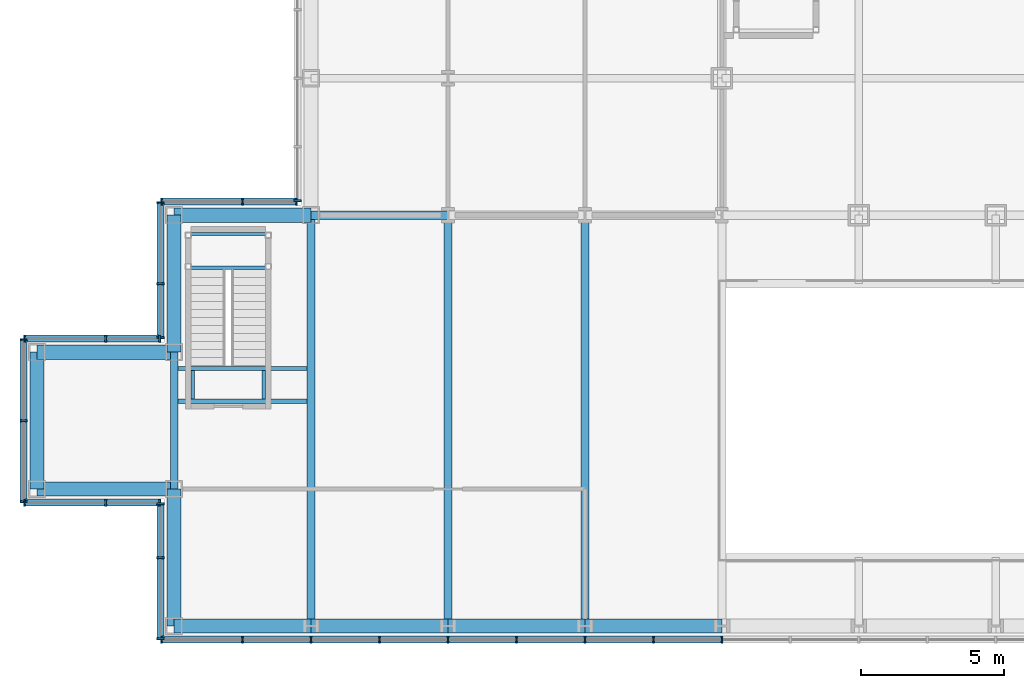
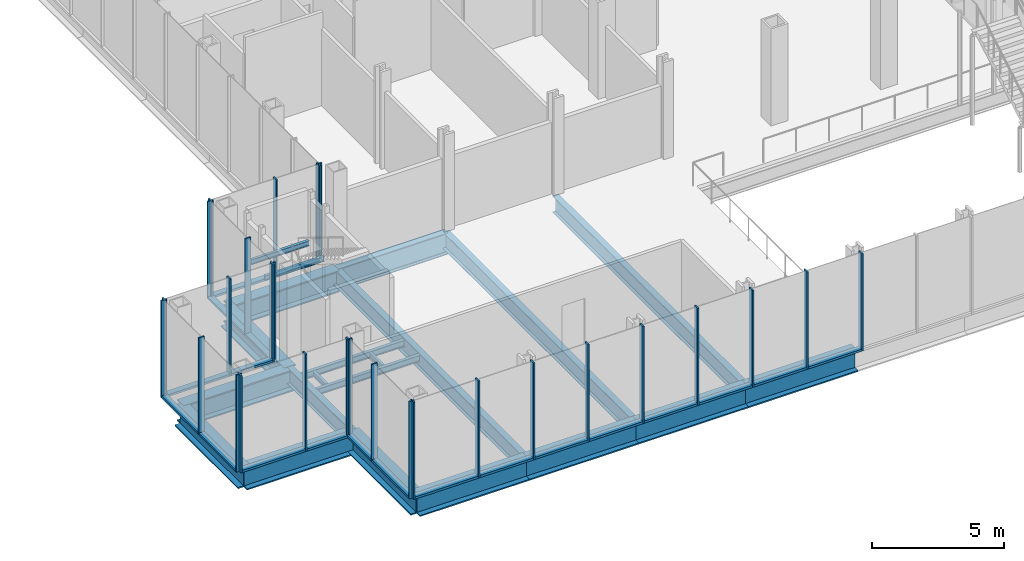
# One storey, part 11 of 28: 48 members, 21 beams, 8 elements without a shape of their own.
"""IFC4 building model written with IfcOpenShell, lengths in metres."""

from ifc_helpers import new_model, si_unit, direction, frame, origin, origin_2d, place, context, subcontext, project, spatial, rectangle, i_section, extrude, material, material_profile, profile_set, type_object, element, aggregate, save


model = new_model("IFC4")

# Units and contexts
model_context = context("Model", 3, precision=1e-05, world=origin(), true_north=direction((0.0, 1.0)))
body_context = subcontext(model_context, "Body", "Model", "MODEL_VIEW")
ifc_project = project(units=[si_unit("LENGTHUNIT", "METRE"), si_unit("AREAUNIT", "SQUARE_METRE"), si_unit("VOLUMEUNIT", "CUBIC_METRE"), si_unit("PLANEANGLEUNIT", "RADIAN"), si_unit("MASSUNIT", "GRAM", prefix="KILO")], contexts=[model_context])

# Site, building, storey
site_placement = place(None, origin())
site = spatial("IfcSite", under=ifc_project, at=site_placement, CompositionType="ELEMENT")
building_placement = place(site_placement, origin())
building = spatial("IfcBuilding", under=site, at=building_placement, Name="Kvirike Care Tower", CompositionType="ELEMENT")
storey_placement = place(building_placement, frame((0.0, 0.0, 4.5)))
storey = spatial("IfcBuildingStorey", under=building, at=storey_placement, Name="L01", CompositionType="ELEMENT", Elevation=4.5)

# Curtain wall, members
ifc_material_1 = material(Name="Anodised aluminium stick system", Category="aluminium")
curtain_wall_type = type_object("IfcCurtainWallType", Name="CW-P PODIUM STICK CURTAIN WALL", PredefinedType="NOTDEFINED", material=ifc_material_1)
curtain_wall_1_placement = place(storey_placement, origin())
curtain_wall_1 = element("IfcCurtainWall", 1, at=curtain_wall_1_placement, inside=storey, type_object=curtain_wall_type, Name="Curtain wall L01 face 1", PredefinedType="NOTDEFINED")
ifc_material_2 = material(Name="Bronze anodised aluminium mullion", Category="aluminium")
ifc_material_profile_1 = material_profile(ifc_material_2, rectangle(XDim=0.06494140625, YDim=0.25, at=origin_2d()), Name="CW-P MULLION 65x250")
ifc_profile_set_1 = profile_set([ifc_material_profile_1], Name="Bronze anodised aluminium mullion")
member_type_1 = type_object("IfcMemberType", Name="CW-P MULLION 65x250", PredefinedType="MULLION", material=ifc_profile_set_1)
member_1_placement = place(storey_placement, frame((-5.242431640625, -0.47509765625, 0.0), z_axis=(0.0, 0.0, 1.0), x_axis=(1.0, 0.0, 0.0)))
member_1 = element("IfcMember", 2, at=member_1_placement, type_object=member_type_1, Name="CW-P mullion L01 face 1.1", PredefinedType="MULLION", context=body_context, shape_type="SweptSolid", body=[
    extrude(rectangle(XDim=0.06494140625, YDim=0.25, at=origin_2d()), origin(), (0.0, 0.0, 1.0), 4.5),
])
member_2_placement = place(storey_placement, frame((-2.39990234375, -0.47509765625, 0.0), z_axis=(0.0, 0.0, 1.0), x_axis=(1.0, 0.0, 0.0)))
member_2 = element("IfcMember", 3, at=member_2_placement, type_object=member_type_1, Name="CW-P mullion L01 face 1.2", PredefinedType="MULLION", context=body_context, shape_type="SweptSolid", body=[
    extrude(rectangle(XDim=0.06494140625, YDim=0.25, at=origin_2d()), origin(), (0.0, 0.0, 1.0), 4.5),
])
member_3_placement = place(storey_placement, frame((0.0, -0.47509765625, 0.0), z_axis=(0.0, 0.0, 1.0), x_axis=(1.0, 0.0, 0.0)))
member_3 = element("IfcMember", 4, at=member_3_placement, type_object=member_type_1, Name="CW-P mullion L01 face 1.3", PredefinedType="MULLION", context=body_context, shape_type="SweptSolid", body=[
    extrude(rectangle(XDim=0.06494140625, YDim=0.25, at=origin_2d()), origin(), (0.0, 0.0, 1.0), 4.5),
])
member_4_placement = place(storey_placement, frame((2.39990234375, -0.47509765625, 0.0), z_axis=(0.0, 0.0, 1.0), x_axis=(1.0, 0.0, 0.0)))
member_4 = element("IfcMember", 5, at=member_4_placement, type_object=member_type_1, Name="CW-P mullion L01 face 1.4", PredefinedType="MULLION", context=body_context, shape_type="SweptSolid", body=[
    extrude(rectangle(XDim=0.06494140625, YDim=0.25, at=origin_2d()), origin(), (0.0, 0.0, 1.0), 4.5),
])
member_5_placement = place(storey_placement, frame((4.800048828125, -0.47509765625, 0.0), z_axis=(0.0, 0.0, 1.0), x_axis=(1.0, 0.0, 0.0)))
member_5 = element("IfcMember", 6, at=member_5_placement, type_object=member_type_1, Name="CW-P mullion L01 face 1.5", PredefinedType="MULLION", context=body_context, shape_type="SweptSolid", body=[
    extrude(rectangle(XDim=0.06494140625, YDim=0.25, at=origin_2d()), origin(), (0.0, 0.0, 1.0), 4.5),
])
member_6_placement = place(storey_placement, frame((7.199951171875, -0.47509765625, 0.0), z_axis=(0.0, 0.0, 1.0), x_axis=(1.0, 0.0, 0.0)))
member_6 = element("IfcMember", 7, at=member_6_placement, type_object=member_type_1, Name="CW-P mullion L01 face 1.6", PredefinedType="MULLION", context=body_context, shape_type="SweptSolid", body=[
    extrude(rectangle(XDim=0.06494140625, YDim=0.25, at=origin_2d()), origin(), (0.0, 0.0, 1.0), 4.5),
])
member_7_placement = place(storey_placement, frame((9.60009765625, -0.47509765625, 0.0), z_axis=(0.0, 0.0, 1.0), x_axis=(1.0, 0.0, 0.0)))
member_7 = element("IfcMember", 8, at=member_7_placement, type_object=member_type_1, Name="CW-P mullion L01 face 1.7", PredefinedType="MULLION", context=body_context, shape_type="SweptSolid", body=[
    extrude(rectangle(XDim=0.06494140625, YDim=0.25, at=origin_2d()), origin(), (0.0, 0.0, 1.0), 4.5),
])
member_8_placement = place(storey_placement, frame((12.0, -0.47509765625, 0.0), z_axis=(0.0, 0.0, 1.0), x_axis=(1.0, 0.0, 0.0)))
member_8 = element("IfcMember", 9, at=member_8_placement, type_object=member_type_1, Name="CW-P mullion L01 face 1.8", PredefinedType="MULLION", context=body_context, shape_type="SweptSolid", body=[
    extrude(rectangle(XDim=0.06494140625, YDim=0.25, at=origin_2d()), origin(), (0.0, 0.0, 1.0), 4.5),
])
member_9_placement = place(storey_placement, frame((14.39990234375, -0.47509765625, 0.0), z_axis=(0.0, 0.0, 1.0), x_axis=(1.0, 0.0, 0.0)))
member_9 = element("IfcMember", 10, at=member_9_placement, type_object=member_type_1, Name="CW-P mullion L01 face 1.9", PredefinedType="MULLION", context=body_context, shape_type="SweptSolid", body=[
    extrude(rectangle(XDim=0.06494140625, YDim=0.25, at=origin_2d()), origin(), (0.0, 0.0, 1.0), 4.5),
])

# Curtain wall, member
curtain_wall_2_placement = place(storey_placement, origin())
curtain_wall_2 = element("IfcCurtainWall", 11, at=curtain_wall_2_placement, inside=storey, type_object=curtain_wall_type, Name="Curtain wall L01 face 14", PredefinedType="NOTDEFINED")
member_10_placement = place(storey_placement, frame((-0.47509765625, 14.907470703125, 0.0), z_axis=(0.0, 0.0, 1.0), x_axis=(0.0, -1.0, 0.0)))
member_10 = element("IfcMember", 12, at=member_10_placement, type_object=member_type_1, Name="CW-P mullion L01 face 14.17", PredefinedType="MULLION", context=body_context, shape_type="SweptSolid", body=[
    extrude(rectangle(XDim=0.06494140625, YDim=0.25, at=origin_2d()), origin(), (0.0, 0.0, 1.0), 4.5),
])
aggregate(curtain_wall_2, [member_10])

# Curtain wall, members
curtain_wall_3_placement = place(storey_placement, origin())
curtain_wall_3 = element("IfcCurtainWall", 13, at=curtain_wall_3_placement, inside=storey, type_object=curtain_wall_type, Name="Curtain wall L01 face 15", PredefinedType="NOTDEFINED")
member_11_placement = place(storey_placement, frame((-0.507568359375, 14.875, 0.0), z_axis=(0.0, 0.0, 1.0), x_axis=(-1.0, 0.0, 0.0)))
member_11 = element("IfcMember", 14, at=member_11_placement, type_object=member_type_1, Name="CW-P mullion L01 face 15.1", PredefinedType="MULLION", context=body_context, shape_type="SweptSolid", body=[
    extrude(rectangle(XDim=0.06494140625, YDim=0.25, at=origin_2d()), origin(), (0.0, 0.0, 1.0), 4.5),
])
member_12_placement = place(storey_placement, frame((-2.39990234375, 14.875, 0.0), z_axis=(0.0, 0.0, 1.0), x_axis=(-1.0, 0.0, 0.0)))
member_12 = element("IfcMember", 15, at=member_12_placement, type_object=member_type_1, Name="CW-P mullion L01 face 15.2", PredefinedType="MULLION", context=body_context, shape_type="SweptSolid", body=[
    extrude(rectangle(XDim=0.06494140625, YDim=0.25, at=origin_2d()), origin(), (0.0, 0.0, 1.0), 4.5),
])
member_13_placement = place(storey_placement, frame((-5.242431640625, 14.875, 0.0), z_axis=(0.0, 0.0, 1.0), x_axis=(-1.0, 0.0, 0.0)))
member_13 = element("IfcMember", 16, at=member_13_placement, type_object=member_type_1, Name="CW-P mullion L01 face 15.3", PredefinedType="MULLION", context=body_context, shape_type="SweptSolid", body=[
    extrude(rectangle(XDim=0.06494140625, YDim=0.25, at=origin_2d()), origin(), (0.0, 0.0, 1.0), 4.5),
])

curtain_wall_4_placement = place(storey_placement, origin())
curtain_wall_4 = element("IfcCurtainWall", 17, at=curtain_wall_4_placement, inside=storey, type_object=curtain_wall_type, Name="Curtain wall L01 face 16", PredefinedType="NOTDEFINED")
member_14_placement = place(storey_placement, frame((-5.27490234375, 14.842529296875, 0.0), z_axis=(0.0, 0.0, 1.0), x_axis=(0.0, -1.0, 0.0)))
member_14 = element("IfcMember", 18, at=member_14_placement, type_object=member_type_1, Name="CW-P mullion L01 face 16.1", PredefinedType="MULLION", context=body_context, shape_type="SweptSolid", body=[
    extrude(rectangle(XDim=0.06494140625, YDim=0.25, at=origin_2d()), origin(), (0.0, 0.0, 1.0), 4.5),
])
member_15_placement = place(storey_placement, frame((-5.27490234375, 12.0, 0.0), z_axis=(0.0, 0.0, 1.0), x_axis=(0.0, -1.0, 0.0)))
member_15 = element("IfcMember", 19, at=member_15_placement, type_object=member_type_1, Name="CW-P mullion L01 face 16.2", PredefinedType="MULLION", context=body_context, shape_type="SweptSolid", body=[
    extrude(rectangle(XDim=0.06494140625, YDim=0.25, at=origin_2d()), origin(), (0.0, 0.0, 1.0), 4.5),
])
member_16_placement = place(storey_placement, frame((-5.27490234375, 10.107421875, 0.0), z_axis=(0.0, 0.0, 1.0), x_axis=(0.0, -1.0, 0.0)))
member_16 = element("IfcMember", 20, at=member_16_placement, type_object=member_type_1, Name="CW-P mullion L01 face 16.3", PredefinedType="MULLION", context=body_context, shape_type="SweptSolid", body=[
    extrude(rectangle(XDim=0.06494140625, YDim=0.25, at=origin_2d()), origin(), (0.0, 0.0, 1.0), 4.5),
])

curtain_wall_5_placement = place(storey_placement, origin())
curtain_wall_5 = element("IfcCurtainWall", 21, at=curtain_wall_5_placement, inside=storey, type_object=curtain_wall_type, Name="Curtain wall L01 face 17", PredefinedType="NOTDEFINED")
member_17_placement = place(storey_placement, frame((-5.3076171875, 10.074951171875, 0.0), z_axis=(0.0, 0.0, 1.0), x_axis=(-1.0, 0.0, 0.0)))
member_17 = element("IfcMember", 22, at=member_17_placement, type_object=member_type_1, Name="CW-P mullion L01 face 17.1", PredefinedType="MULLION", context=body_context, shape_type="SweptSolid", body=[
    extrude(rectangle(XDim=0.06494140625, YDim=0.25, at=origin_2d()), origin(), (0.0, 0.0, 1.0), 4.5),
])
member_18_placement = place(storey_placement, frame((-7.199951171875, 10.074951171875, 0.0), z_axis=(0.0, 0.0, 1.0), x_axis=(-1.0, 0.0, 0.0)))
member_18 = element("IfcMember", 23, at=member_18_placement, type_object=member_type_1, Name="CW-P mullion L01 face 17.2", PredefinedType="MULLION", context=body_context, shape_type="SweptSolid", body=[
    extrude(rectangle(XDim=0.06494140625, YDim=0.25, at=origin_2d()), origin(), (0.0, 0.0, 1.0), 4.5),
])
member_19_placement = place(storey_placement, frame((-10.04248046875, 10.074951171875, 0.0), z_axis=(0.0, 0.0, 1.0), x_axis=(-1.0, 0.0, 0.0)))
member_19 = element("IfcMember", 24, at=member_19_placement, type_object=member_type_1, Name="CW-P mullion L01 face 17.3", PredefinedType="MULLION", context=body_context, shape_type="SweptSolid", body=[
    extrude(rectangle(XDim=0.06494140625, YDim=0.25, at=origin_2d()), origin(), (0.0, 0.0, 1.0), 4.5),
])

curtain_wall_6_placement = place(storey_placement, origin())
curtain_wall_6 = element("IfcCurtainWall", 25, at=curtain_wall_6_placement, inside=storey, type_object=curtain_wall_type, Name="Curtain wall L01 face 18", PredefinedType="NOTDEFINED")
member_20_placement = place(storey_placement, frame((-10.074951171875, 10.04248046875, 0.0), z_axis=(0.0, 0.0, 1.0), x_axis=(0.0, -1.0, 0.0)))
member_20 = element("IfcMember", 26, at=member_20_placement, type_object=member_type_1, Name="CW-P mullion L01 face 18.1", PredefinedType="MULLION", context=body_context, shape_type="SweptSolid", body=[
    extrude(rectangle(XDim=0.06494140625, YDim=0.25, at=origin_2d()), origin(), (0.0, 0.0, 1.0), 4.5),
])
member_21_placement = place(storey_placement, frame((-10.074951171875, 7.199951171875, 0.0), z_axis=(0.0, 0.0, 1.0), x_axis=(0.0, -1.0, 0.0)))
member_21 = element("IfcMember", 27, at=member_21_placement, type_object=member_type_1, Name="CW-P mullion L01 face 18.2", PredefinedType="MULLION", context=body_context, shape_type="SweptSolid", body=[
    extrude(rectangle(XDim=0.06494140625, YDim=0.25, at=origin_2d()), origin(), (0.0, 0.0, 1.0), 4.5),
])
member_22_placement = place(storey_placement, frame((-10.074951171875, 4.357421875, 0.0), z_axis=(0.0, 0.0, 1.0), x_axis=(0.0, -1.0, 0.0)))
member_22 = element("IfcMember", 28, at=member_22_placement, type_object=member_type_1, Name="CW-P mullion L01 face 18.3", PredefinedType="MULLION", context=body_context, shape_type="SweptSolid", body=[
    extrude(rectangle(XDim=0.06494140625, YDim=0.25, at=origin_2d()), origin(), (0.0, 0.0, 1.0), 4.5),
])

curtain_wall_7_placement = place(storey_placement, origin())
curtain_wall_7 = element("IfcCurtainWall", 29, at=curtain_wall_7_placement, inside=storey, type_object=curtain_wall_type, Name="Curtain wall L01 face 19", PredefinedType="NOTDEFINED")
member_23_placement = place(storey_placement, frame((-10.04248046875, 4.324951171875, 0.0), z_axis=(0.0, 0.0, 1.0), x_axis=(1.0, 0.0, 0.0)))
member_23 = element("IfcMember", 30, at=member_23_placement, type_object=member_type_1, Name="CW-P mullion L01 face 19.1", PredefinedType="MULLION", context=body_context, shape_type="SweptSolid", body=[
    extrude(rectangle(XDim=0.06494140625, YDim=0.25, at=origin_2d()), origin(), (0.0, 0.0, 1.0), 4.5),
])
member_24_placement = place(storey_placement, frame((-7.199951171875, 4.324951171875, 0.0), z_axis=(0.0, 0.0, 1.0), x_axis=(1.0, 0.0, 0.0)))
member_24 = element("IfcMember", 31, at=member_24_placement, type_object=member_type_1, Name="CW-P mullion L01 face 19.2", PredefinedType="MULLION", context=body_context, shape_type="SweptSolid", body=[
    extrude(rectangle(XDim=0.06494140625, YDim=0.25, at=origin_2d()), origin(), (0.0, 0.0, 1.0), 4.5),
])
member_25_placement = place(storey_placement, frame((-5.3076171875, 4.324951171875, 0.0), z_axis=(0.0, 0.0, 1.0), x_axis=(1.0, 0.0, 0.0)))
member_25 = element("IfcMember", 32, at=member_25_placement, type_object=member_type_1, Name="CW-P mullion L01 face 19.3", PredefinedType="MULLION", context=body_context, shape_type="SweptSolid", body=[
    extrude(rectangle(XDim=0.06494140625, YDim=0.25, at=origin_2d()), origin(), (0.0, 0.0, 1.0), 4.5),
])

curtain_wall_8_placement = place(storey_placement, origin())
curtain_wall_8 = element("IfcCurtainWall", 33, at=curtain_wall_8_placement, inside=storey, type_object=curtain_wall_type, Name="Curtain wall L01 face 20", PredefinedType="NOTDEFINED")
member_26_placement = place(storey_placement, frame((-5.27490234375, 4.29248046875, 0.0), z_axis=(0.0, 0.0, 1.0), x_axis=(0.0, -1.0, 0.0)))
member_26 = element("IfcMember", 34, at=member_26_placement, type_object=member_type_1, Name="CW-P mullion L01 face 20.1", PredefinedType="MULLION", context=body_context, shape_type="SweptSolid", body=[
    extrude(rectangle(XDim=0.06494140625, YDim=0.25, at=origin_2d()), origin(), (0.0, 0.0, 1.0), 4.5),
])
member_27_placement = place(storey_placement, frame((-5.27490234375, 2.39990234375, 0.0), z_axis=(0.0, 0.0, 1.0), x_axis=(0.0, -1.0, 0.0)))
member_27 = element("IfcMember", 35, at=member_27_placement, type_object=member_type_1, Name="CW-P mullion L01 face 20.2", PredefinedType="MULLION", context=body_context, shape_type="SweptSolid", body=[
    extrude(rectangle(XDim=0.06494140625, YDim=0.25, at=origin_2d()), origin(), (0.0, 0.0, 1.0), 4.5),
])
member_28_placement = place(storey_placement, frame((-5.27490234375, -0.4423828125, 0.0), z_axis=(0.0, 0.0, 1.0), x_axis=(0.0, -1.0, 0.0)))
member_28 = element("IfcMember", 36, at=member_28_placement, type_object=member_type_1, Name="CW-P mullion L01 face 20.3", PredefinedType="MULLION", context=body_context, shape_type="SweptSolid", body=[
    extrude(rectangle(XDim=0.06494140625, YDim=0.25, at=origin_2d()), origin(), (0.0, 0.0, 1.0), 4.5),
])

# Member
ifc_material_3 = material(Name="Bronze anodised aluminium transom", Category="aluminium")
ifc_material_profile_2 = material_profile(ifc_material_3, rectangle(XDim=0.25, YDim=0.10009765625, at=origin_2d()), Name="CW-P TRANSOM 250x100")
ifc_profile_set_2 = profile_set([ifc_material_profile_2], Name="Bronze anodised aluminium transom")
member_type_2 = type_object("IfcMemberType", Name="CW-P TRANSOM 250x100", PredefinedType="USERDEFINED", material=ifc_profile_set_2)
member_29_placement = place(storey_placement, frame((-5.2099609375, -0.47509765625, 0.050048828125), z_axis=(1.0, 0.0, 0.0), x_axis=(0.0, 1.0, 0.0)))
member_29 = element("IfcMember", 37, at=member_29_placement, type_object=member_type_2, Name="CW-P sill transom L01 face 1.1", ObjectType="TRANSOM", PredefinedType="USERDEFINED", context=body_context, shape_type="SweptSolid", body=[
    extrude(rectangle(XDim=0.25, YDim=0.10009765625, at=origin_2d()), origin(), (0.0, 0.0, 1.0), 2.77734375),
])

member_30_placement = place(storey_placement, frame((-2.367431640625, -0.47509765625, 0.050048828125), z_axis=(1.0, 0.0, 0.0), x_axis=(0.0, 1.0, 0.0)))
member_30 = element("IfcMember", 38, at=member_30_placement, type_object=member_type_2, Name="CW-P sill transom L01 face 1.2", ObjectType="TRANSOM", PredefinedType="USERDEFINED", context=body_context, shape_type="SweptSolid", body=[
    extrude(rectangle(XDim=0.25, YDim=0.10009765625, at=origin_2d()), origin(), (0.0, 0.0, 1.0), 2.3349609375),
])

member_31_placement = place(storey_placement, frame((0.032470703125, -0.47509765625, 0.050048828125), z_axis=(1.0, 0.0, 0.0), x_axis=(0.0, 1.0, 0.0)))
member_31 = element("IfcMember", 39, at=member_31_placement, type_object=member_type_2, Name="CW-P sill transom L01 face 1.3", ObjectType="TRANSOM", PredefinedType="USERDEFINED", context=body_context, shape_type="SweptSolid", body=[
    extrude(rectangle(XDim=0.25, YDim=0.10009765625, at=origin_2d()), origin(), (0.0, 0.0, 1.0), 2.3349609375),
])

member_32_placement = place(storey_placement, frame((2.4326171875, -0.47509765625, 0.050048828125), z_axis=(1.0, 0.0, 0.0), x_axis=(0.0, 1.0, 0.0)))
member_32 = element("IfcMember", 40, at=member_32_placement, type_object=member_type_2, Name="CW-P sill transom L01 face 1.4", ObjectType="TRANSOM", PredefinedType="USERDEFINED", context=body_context, shape_type="SweptSolid", body=[
    extrude(rectangle(XDim=0.25, YDim=0.10009765625, at=origin_2d()), origin(), (0.0, 0.0, 1.0), 2.3349609375),
])

member_33_placement = place(storey_placement, frame((4.83251953125, -0.47509765625, 0.050048828125), z_axis=(1.0, 0.0, 0.0), x_axis=(0.0, 1.0, 0.0)))
member_33 = element("IfcMember", 41, at=member_33_placement, type_object=member_type_2, Name="CW-P sill transom L01 face 1.5", ObjectType="TRANSOM", PredefinedType="USERDEFINED", context=body_context, shape_type="SweptSolid", body=[
    extrude(rectangle(XDim=0.25, YDim=0.10009765625, at=origin_2d()), origin(), (0.0, 0.0, 1.0), 2.3349609375),
])

member_34_placement = place(storey_placement, frame((7.232421875, -0.47509765625, 0.050048828125), z_axis=(1.0, 0.0, 0.0), x_axis=(0.0, 1.0, 0.0)))
member_34 = element("IfcMember", 42, at=member_34_placement, type_object=member_type_2, Name="CW-P sill transom L01 face 1.6", ObjectType="TRANSOM", PredefinedType="USERDEFINED", context=body_context, shape_type="SweptSolid", body=[
    extrude(rectangle(XDim=0.25, YDim=0.10009765625, at=origin_2d()), origin(), (0.0, 0.0, 1.0), 2.3349609375),
])

member_35_placement = place(storey_placement, frame((9.632568359375, -0.47509765625, 0.050048828125), z_axis=(1.0, 0.0, 0.0), x_axis=(0.0, 1.0, 0.0)))
member_35 = element("IfcMember", 43, at=member_35_placement, type_object=member_type_2, Name="CW-P sill transom L01 face 1.7", ObjectType="TRANSOM", PredefinedType="USERDEFINED", context=body_context, shape_type="SweptSolid", body=[
    extrude(rectangle(XDim=0.25, YDim=0.10009765625, at=origin_2d()), origin(), (0.0, 0.0, 1.0), 2.3349609375),
])

member_36_placement = place(storey_placement, frame((12.032470703125, -0.47509765625, 0.050048828125), z_axis=(1.0, 0.0, 0.0), x_axis=(0.0, 1.0, 0.0)))
member_36 = element("IfcMember", 44, at=member_36_placement, type_object=member_type_2, Name="CW-P sill transom L01 face 1.8", ObjectType="TRANSOM", PredefinedType="USERDEFINED", context=body_context, shape_type="SweptSolid", body=[
    extrude(rectangle(XDim=0.25, YDim=0.10009765625, at=origin_2d()), origin(), (0.0, 0.0, 1.0), 2.3349609375),
])

aggregate(curtain_wall_1, [member_1, member_2, member_3, member_4, member_5, member_6, member_7, member_8, member_9, member_29, member_30, member_31, member_32, member_33, member_34, member_35, member_36])

member_37_placement = place(storey_placement, frame((-0.5400390625, 14.875, 0.050048828125), z_axis=(-1.0, 0.0, 0.0), x_axis=(0.0, -1.0, 0.0)))
member_37 = element("IfcMember", 45, at=member_37_placement, type_object=member_type_2, Name="CW-P sill transom L01 face 15.1", ObjectType="TRANSOM", PredefinedType="USERDEFINED", context=body_context, shape_type="SweptSolid", body=[
    extrude(rectangle(XDim=0.25, YDim=0.10009765625, at=origin_2d()), origin(), (0.0, 0.0, 1.0), 1.827392578125),
])

member_38_placement = place(storey_placement, frame((-2.4326171875, 14.875, 0.050048828125), z_axis=(-1.0, 0.0, 0.0), x_axis=(0.0, -1.0, 0.0)))
member_38 = element("IfcMember", 46, at=member_38_placement, type_object=member_type_2, Name="CW-P sill transom L01 face 15.2", ObjectType="TRANSOM", PredefinedType="USERDEFINED", context=body_context, shape_type="SweptSolid", body=[
    extrude(rectangle(XDim=0.25, YDim=0.10009765625, at=origin_2d()), origin(), (0.0, 0.0, 1.0), 2.77734375),
])

aggregate(curtain_wall_3, [member_11, member_12, member_13, member_37, member_38])

member_39_placement = place(storey_placement, frame((-5.27490234375, 14.81005859375, 0.050048828125), z_axis=(0.0, -1.0, 0.0), x_axis=(1.0, 0.0, 0.0)))
member_39 = element("IfcMember", 47, at=member_39_placement, type_object=member_type_2, Name="CW-P sill transom L01 face 16.1", ObjectType="TRANSOM", PredefinedType="USERDEFINED", context=body_context, shape_type="SweptSolid", body=[
    extrude(rectangle(XDim=0.25, YDim=0.10009765625, at=origin_2d()), origin(), (0.0, 0.0, 1.0), 2.777587890625),
])

member_40_placement = place(storey_placement, frame((-5.27490234375, 11.967529296875, 0.050048828125), z_axis=(0.0, -1.0, 0.0), x_axis=(1.0, 0.0, 0.0)))
member_40 = element("IfcMember", 48, at=member_40_placement, type_object=member_type_2, Name="CW-P sill transom L01 face 16.2", ObjectType="TRANSOM", PredefinedType="USERDEFINED", context=body_context, shape_type="SweptSolid", body=[
    extrude(rectangle(XDim=0.25, YDim=0.10009765625, at=origin_2d()), origin(), (0.0, 0.0, 1.0), 1.82763671875),
])

aggregate(curtain_wall_4, [member_14, member_15, member_16, member_39, member_40])

member_41_placement = place(storey_placement, frame((-5.340087890625, 10.074951171875, 0.050048828125), z_axis=(-1.0, 0.0, 0.0), x_axis=(0.0, -1.0, 0.0)))
member_41 = element("IfcMember", 49, at=member_41_placement, type_object=member_type_2, Name="CW-P sill transom L01 face 17.1", ObjectType="TRANSOM", PredefinedType="USERDEFINED", context=body_context, shape_type="SweptSolid", body=[
    extrude(rectangle(XDim=0.25, YDim=0.10009765625, at=origin_2d()), origin(), (0.0, 0.0, 1.0), 1.827392578125),
])

member_42_placement = place(storey_placement, frame((-7.232421875, 10.074951171875, 0.050048828125), z_axis=(-1.0, 0.0, 0.0), x_axis=(0.0, -1.0, 0.0)))
member_42 = element("IfcMember", 50, at=member_42_placement, type_object=member_type_2, Name="CW-P sill transom L01 face 17.2", ObjectType="TRANSOM", PredefinedType="USERDEFINED", context=body_context, shape_type="SweptSolid", body=[
    extrude(rectangle(XDim=0.25, YDim=0.10009765625, at=origin_2d()), origin(), (0.0, 0.0, 1.0), 2.777587890625),
])

aggregate(curtain_wall_5, [member_17, member_18, member_19, member_41, member_42])

member_43_placement = place(storey_placement, frame((-10.074951171875, 10.010009765625, 0.050048828125), z_axis=(0.0, -1.0, 0.0), x_axis=(1.0, 0.0, 0.0)))
member_43 = element("IfcMember", 51, at=member_43_placement, type_object=member_type_2, Name="CW-P sill transom L01 face 18.1", ObjectType="TRANSOM", PredefinedType="USERDEFINED", context=body_context, shape_type="SweptSolid", body=[
    extrude(rectangle(XDim=0.25, YDim=0.10009765625, at=origin_2d()), origin(), (0.0, 0.0, 1.0), 2.777587890625),
])

member_44_placement = place(storey_placement, frame((-10.074951171875, 7.16748046875, 0.050048828125), z_axis=(0.0, -1.0, 0.0), x_axis=(1.0, 0.0, 0.0)))
member_44 = element("IfcMember", 52, at=member_44_placement, type_object=member_type_2, Name="CW-P sill transom L01 face 18.2", ObjectType="TRANSOM", PredefinedType="USERDEFINED", context=body_context, shape_type="SweptSolid", body=[
    extrude(rectangle(XDim=0.25, YDim=0.10009765625, at=origin_2d()), origin(), (0.0, 0.0, 1.0), 2.777587890625),
])

aggregate(curtain_wall_6, [member_20, member_21, member_22, member_43, member_44])

member_45_placement = place(storey_placement, frame((-10.010009765625, 4.324951171875, 0.050048828125), z_axis=(1.0, 0.0, 0.0), x_axis=(0.0, 1.0, 0.0)))
member_45 = element("IfcMember", 53, at=member_45_placement, type_object=member_type_2, Name="CW-P sill transom L01 face 19.1", ObjectType="TRANSOM", PredefinedType="USERDEFINED", context=body_context, shape_type="SweptSolid", body=[
    extrude(rectangle(XDim=0.25, YDim=0.10009765625, at=origin_2d()), origin(), (0.0, 0.0, 1.0), 2.777587890625),
])

member_46_placement = place(storey_placement, frame((-7.16748046875, 4.324951171875, 0.050048828125), z_axis=(1.0, 0.0, 0.0), x_axis=(0.0, 1.0, 0.0)))
member_46 = element("IfcMember", 54, at=member_46_placement, type_object=member_type_2, Name="CW-P sill transom L01 face 19.2", ObjectType="TRANSOM", PredefinedType="USERDEFINED", context=body_context, shape_type="SweptSolid", body=[
    extrude(rectangle(XDim=0.25, YDim=0.10009765625, at=origin_2d()), origin(), (0.0, 0.0, 1.0), 1.827392578125),
])

aggregate(curtain_wall_7, [member_23, member_24, member_25, member_45, member_46])

member_47_placement = place(storey_placement, frame((-5.27490234375, 4.260009765625, 0.050048828125), z_axis=(0.0, -1.0, 0.0), x_axis=(1.0, 0.0, 0.0)))
member_47 = element("IfcMember", 55, at=member_47_placement, type_object=member_type_2, Name="CW-P sill transom L01 face 20.1", ObjectType="TRANSOM", PredefinedType="USERDEFINED", context=body_context, shape_type="SweptSolid", body=[
    extrude(rectangle(XDim=0.25, YDim=0.10009765625, at=origin_2d()), origin(), (0.0, 0.0, 1.0), 1.827392578125),
])

member_48_placement = place(storey_placement, frame((-5.27490234375, 2.367431640625, 0.050048828125), z_axis=(0.0, -1.0, 0.0), x_axis=(1.0, 0.0, 0.0)))
member_48 = element("IfcMember", 56, at=member_48_placement, type_object=member_type_2, Name="CW-P sill transom L01 face 20.2", ObjectType="TRANSOM", PredefinedType="USERDEFINED", context=body_context, shape_type="SweptSolid", body=[
    extrude(rectangle(XDim=0.25, YDim=0.10009765625, at=origin_2d()), origin(), (0.0, 0.0, 1.0), 2.77734375),
])

aggregate(curtain_wall_8, [member_26, member_27, member_28, member_47, member_48])

# Beams
ifc_material_4 = material(Name="Steel S355", Category="steel")
ifc_material_profile_3 = material_profile(ifc_material_4, i_section(OverallWidth=0.26806640625, OverallDepth=0.77001953125, WebThickness=0.015625, FlangeThickness=0.025390625, FilletRadius=0.01708984375, at=origin_2d()), Name="IPE 750x196")
ifc_profile_set_3 = profile_set([ifc_material_profile_3], Name="Steel S355")
beam_type_1 = type_object("IfcBeamType", Name="FLOOR BEAM IPE 750x196", PredefinedType="BEAM", material=ifc_profile_set_3)
beam_1_placement = place(storey_placement, frame((-4.800048828125, 4.800048828125, -0.554931640625), z_axis=(0.0, 1.0, 0.0), x_axis=(-1.0, 0.0, 0.0)))
element("IfcBeam", 57, at=beam_1_placement, inside=storey, type_object=beam_type_1, Name="Floor Beam B2-C2 L01", PredefinedType="BEAM", context=body_context, shape_type="SweptSolid", body=[
    extrude(i_section(OverallWidth=0.26806640625, OverallDepth=0.77001953125, WebThickness=0.015625, FlangeThickness=0.025390625, FilletRadius=0.01708984375, at=origin_2d()), origin(), (0.0, 0.0, 1.0), 4.800048828125),
])
for number, where, z_axis, x_axis, name in (
    (58, (0.0, 0.0, -0.554931640625), (0.0, 1.0, 0.0), (-1.0, 0.0, 0.0), "Floor Beam A3-D3 L01"),
    (59, (4.800048828125, 0.0, -0.554931640625), (0.0, 1.0, 0.0), (-1.0, 0.0, 0.0), "Floor Beam A4-D4 L01"),
    (60, (9.60009765625, 0.0, -0.554931640625), (0.0, 1.0, 0.0), (-1.0, 0.0, 0.0), "Floor Beam A5-D5 L01"),
):
    element("IfcBeam", number, at=place(storey_placement, frame(where, z_axis=z_axis, x_axis=x_axis)), inside=storey, type_object=beam_type_1, Name=name, PredefinedType="BEAM", context=body_context, shape_type="SweptSolid", body=[
        extrude(i_section(OverallWidth=0.26806640625, OverallDepth=0.77001953125, WebThickness=0.015625, FlangeThickness=0.025390625, FilletRadius=0.01708984375, at=origin_2d()), origin(), (0.0, 0.0, 1.0), 14.39990234375),
    ])
ifc_material_5 = material(Name="Steel S355", Category="steel")
ifc_material_profile_4 = material_profile(ifc_material_5, i_section(OverallWidth=0.300048828125, OverallDepth=1.0, WebThickness=0.01904296875, FlangeThickness=0.035888671875, FilletRadius=0.030029296875, at=origin_2d()), Name="HE 1000 B")
ifc_profile_set_4 = profile_set([ifc_material_profile_4], Name="Steel S355")
beam_type_2 = type_object("IfcBeamType", Name="FRAME BEAM HE 1000 B", PredefinedType="BEAM", material=ifc_profile_set_4)
beam_2_placement = place(storey_placement, frame((0.0, 14.39990234375, -0.669921875), z_axis=(1.0, 0.0, 0.0), x_axis=(0.0, 1.0, 0.0)))
element("IfcBeam", 61, at=beam_2_placement, inside=storey, type_object=beam_type_2, Name="Frame Beam D3-D4 L01", PredefinedType="BEAM", context=body_context, shape_type="SweptSolid", body=[
    extrude(i_section(OverallWidth=0.300048828125, OverallDepth=1.0, WebThickness=0.01904296875, FlangeThickness=0.035888671875, FilletRadius=0.030029296875, at=origin_2d()), origin(), (0.0, 0.0, 1.0), 4.800048828125),
])
ifc_material_6 = material(Name="Steel S355", Category="steel")
ifc_material_profile_5 = material_profile(ifc_material_6, i_section(OverallWidth=0.5, OverallDepth=1.0, WebThickness=0.030029296875, FlangeThickness=0.06005859375, at=origin_2d()), Name="PG 1000x500x30x60")
ifc_profile_set_5 = profile_set([ifc_material_profile_5], Name="Steel S355")
beam_type_3 = type_object("IfcBeamType", Name="SPANDREL PG 1000x500x30x60", PredefinedType="SPANDREL", material=ifc_profile_set_5)
for number, where, z_axis, x_axis, name in (
    (62, (-4.800048828125, 0.0, -0.669921875), (1.0, 0.0, 0.0), (0.0, 1.0, 0.0), "Spandrel A2-A3 L01"),
    (63, (0.0, 0.0, -0.669921875), (1.0, 0.0, 0.0), (0.0, 1.0, 0.0), "Spandrel A3-A4 L01"),
    (64, (4.800048828125, 0.0, -0.669921875), (1.0, 0.0, 0.0), (0.0, 1.0, 0.0), "Spandrel A4-A5 L01"),
):
    element("IfcBeam", number, at=place(storey_placement, frame(where, z_axis=z_axis, x_axis=x_axis)), inside=storey, type_object=beam_type_3, Name=name, PredefinedType="SPANDREL", context=body_context, shape_type="SweptSolid", body=[
        extrude(i_section(OverallWidth=0.5, OverallDepth=1.0, WebThickness=0.030029296875, FlangeThickness=0.06005859375, at=origin_2d()), origin(), (0.0, 0.0, 1.0), 4.800048828125),
    ])
beam_3_placement = place(storey_placement, frame((9.60009765625, 0.0, -0.669921875), z_axis=(1.0, 0.0, 0.0), x_axis=(0.0, 1.0, 0.0)))
element("IfcBeam", 65, at=beam_3_placement, inside=storey, type_object=beam_type_3, Name="Spandrel A5-A6 L01", PredefinedType="SPANDREL", context=body_context, shape_type="SweptSolid", body=[
    extrude(i_section(OverallWidth=0.5, OverallDepth=1.0, WebThickness=0.030029296875, FlangeThickness=0.06005859375, at=origin_2d()), origin(), (0.0, 0.0, 1.0), 4.7998046875),
])
for number, where, z_axis, x_axis, name in (
    (66, (-9.60009765625, 4.800048828125, -0.669921875), (1.0, 0.0, 0.0), (0.0, 1.0, 0.0), "Spandrel B1-B2 L01"),
    (67, (-9.60009765625, 9.60009765625, -0.669921875), (1.0, 0.0, 0.0), (0.0, 1.0, 0.0), "Spandrel C1-C2 L01"),
    (68, (-4.800048828125, 14.39990234375, -0.669921875), (1.0, 0.0, 0.0), (0.0, 1.0, 0.0), "Spandrel D2-D3 L01"),
    (69, (-9.60009765625, 4.800048828125, -0.669921875), (0.0, 1.0, 0.0), (-1.0, 0.0, 0.0), "Spandrel B1-C1 L01"),
    (70, (-4.800048828125, 0.0, -0.669921875), (0.0, 1.0, 0.0), (-1.0, 0.0, 0.0), "Spandrel A2-B2 L01"),
):
    element("IfcBeam", number, at=place(storey_placement, frame(where, z_axis=z_axis, x_axis=x_axis)), inside=storey, type_object=beam_type_3, Name=name, PredefinedType="SPANDREL", context=body_context, shape_type="SweptSolid", body=[
        extrude(i_section(OverallWidth=0.5, OverallDepth=1.0, WebThickness=0.030029296875, FlangeThickness=0.06005859375, at=origin_2d()), origin(), (0.0, 0.0, 1.0), 4.800048828125),
    ])
beam_4_placement = place(storey_placement, frame((-4.800048828125, 9.60009765625, -0.669921875), z_axis=(0.0, 1.0, 0.0), x_axis=(-1.0, 0.0, 0.0)))
element("IfcBeam", 71, at=beam_4_placement, inside=storey, type_object=beam_type_3, Name="Spandrel C2-D2 L01", PredefinedType="SPANDREL", context=body_context, shape_type="SweptSolid", body=[
    extrude(i_section(OverallWidth=0.5, OverallDepth=1.0, WebThickness=0.030029296875, FlangeThickness=0.06005859375, at=origin_2d()), origin(), (0.0, 0.0, 1.0), 4.7998046875),
])
ifc_material_7 = material(Name="Steel S355", Category="steel")
ifc_material_profile_6 = material_profile(ifc_material_7, i_section(OverallWidth=0.1201171875, OverallDepth=0.239990234375, WebThickness=0.006103515625, FlangeThickness=0.009765625, FilletRadius=0.014892578125, at=origin_2d()), Name="IPE 240")
ifc_profile_set_6 = profile_set([ifc_material_profile_6], Name="Steel S355")
beam_type_4 = type_object("IfcBeamType", Name="STAIR LANDING BEAM IPE 240", PredefinedType="BEAM", material=ifc_profile_set_6)
for number, where, z_axis, x_axis, name in (
    (72, (-4.199951171875, 13.739990234375, 1.929931640625), (1.0, 0.0, 0.0), (0.0, 1.0, 0.0), "Stair 3 landing beam back L01"),
    (73, (-4.199951171875, 12.56005859375, 1.929931640625), (1.0, 0.0, 0.0), (0.0, 1.0, 0.0), "Stair 3 landing beam front L01"),
):
    element("IfcBeam", number, at=place(storey_placement, frame(where, z_axis=z_axis, x_axis=x_axis)), inside=storey, type_object=beam_type_4, Name=name, PredefinedType="BEAM", context=body_context, shape_type="SweptSolid", body=[
        extrude(i_section(OverallWidth=0.1201171875, OverallDepth=0.239990234375, WebThickness=0.006103515625, FlangeThickness=0.009765625, FilletRadius=0.014892578125, at=origin_2d()), origin(), (0.0, 0.0, 1.0), 2.599853515625),
    ])
for number, where, z_axis, x_axis, name in (
    (74, (-4.139892578125, 8.949951171875, -0.320068359375), (0.0, -1.0, 0.0), (1.0, 0.0, 0.0), "Stair 3 landing edge beam 1 L01"),
    (75, (-1.659912109375, 8.949951171875, -0.320068359375), (0.0, -1.0, 0.0), (1.0, 0.0, 0.0), "Stair 3 landing edge beam 2 L01"),
):
    element("IfcBeam", number, at=place(storey_placement, frame(where, z_axis=z_axis, x_axis=x_axis)), inside=storey, type_object=beam_type_4, Name=name, PredefinedType="BEAM", context=body_context, shape_type="SweptSolid", body=[
        extrude(i_section(OverallWidth=0.1201171875, OverallDepth=0.239990234375, WebThickness=0.006103515625, FlangeThickness=0.009765625, FilletRadius=0.014892578125, at=origin_2d()), origin(), (0.0, 0.0, 1.0), 1.0),
    ])
ifc_material_8 = material(Name="Steel S355", Category="steel")
ifc_material_profile_7 = material_profile(ifc_material_8, i_section(OverallWidth=0.14990234375, OverallDepth=0.300048828125, WebThickness=0.007080078125, FlangeThickness=0.0107421875, FilletRadius=0.014892578125, at=origin_2d()), Name="IPE 300")
ifc_profile_set_7 = profile_set([ifc_material_profile_7], Name="Steel S355")
beam_type_5 = type_object("IfcBeamType", Name="STAIR TRIMMER IPE 300", PredefinedType="BEAM", material=ifc_profile_set_7)
for number, where, z_axis, x_axis, name in (
    (76, (-4.666015625, 9.02490234375, -0.35009765625), (1.0, 0.0, 0.0), (0.0, 1.0, 0.0), "Stair 3 trimmer 1 L01"),
    (77, (-4.666015625, 7.875, -0.35009765625), (1.0, 0.0, 0.0), (0.0, 1.0, 0.0), "Stair 3 trimmer 2 L01"),
):
    element("IfcBeam", number, at=place(storey_placement, frame(where, z_axis=z_axis, x_axis=x_axis)), inside=storey, type_object=beam_type_5, Name=name, PredefinedType="BEAM", context=body_context, shape_type="SweptSolid", body=[
        extrude(i_section(OverallWidth=0.14990234375, OverallDepth=0.300048828125, WebThickness=0.007080078125, FlangeThickness=0.0107421875, FilletRadius=0.014892578125, at=origin_2d()), origin(), (0.0, 0.0, 1.0), 4.531982421875),
    ])

save(model, "model.ifc")
